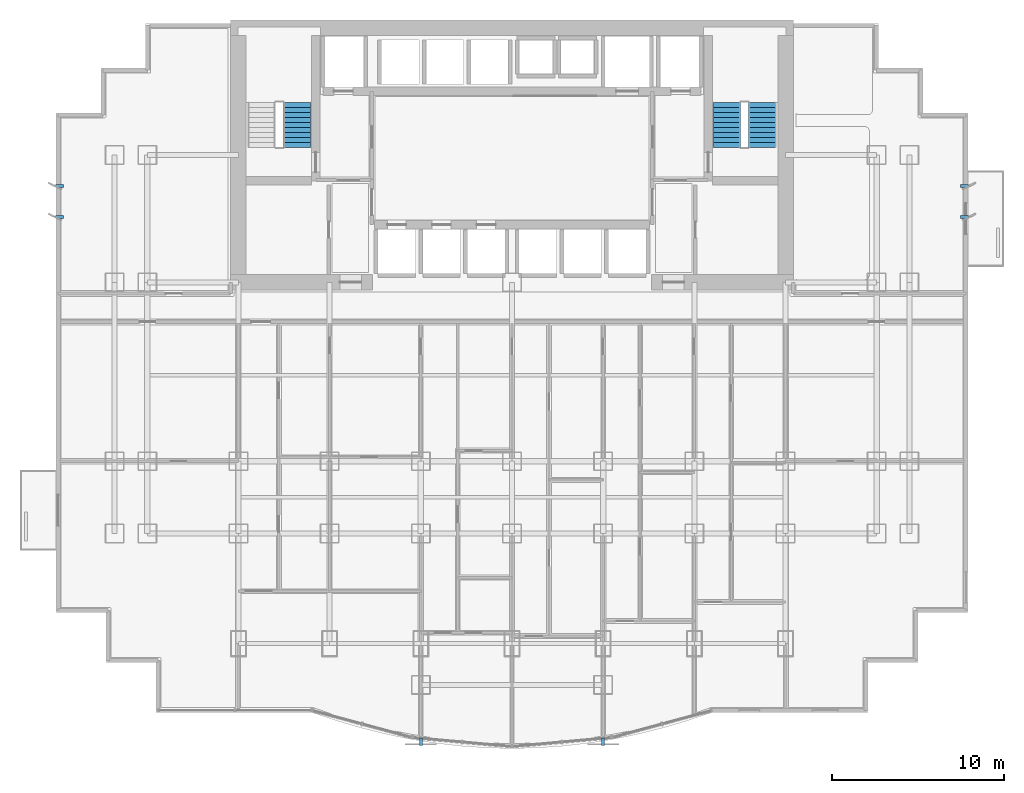
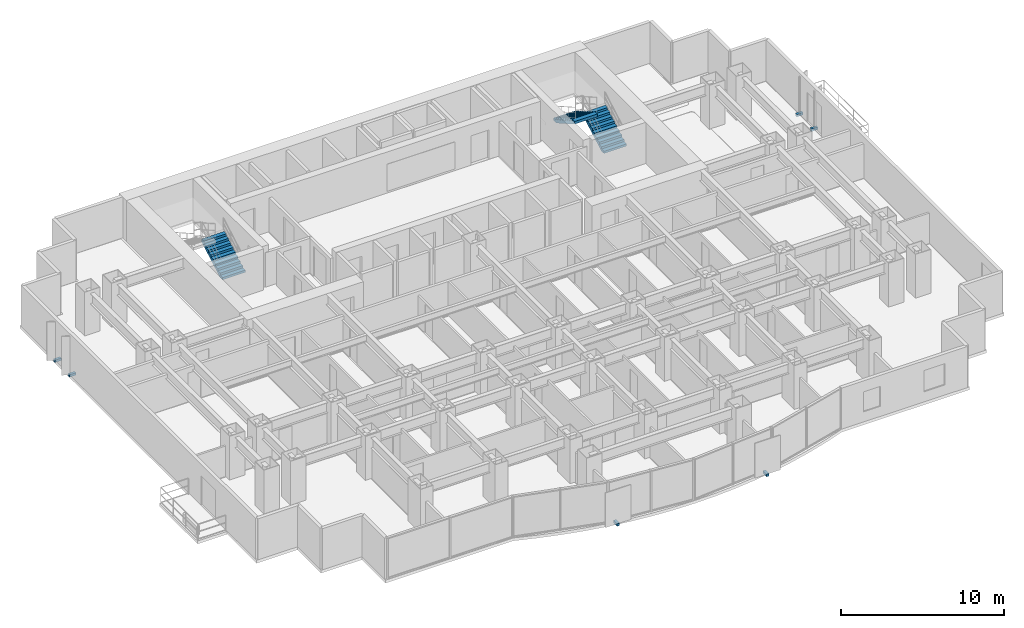
# One storey, part 8 of 10: 6 discrete accessories, 3 stair flights, 2 elements without a shape of their own.
"""IFC4 building model written with IfcOpenShell, lengths in metres."""

import ifcopenshell
import ifcopenshell.guid

model = None  # the IFC model being written
_history = None  # IfcOwnerHistory: only IFC2X3 demands one
_inside = {}  # id of a spatial element -> (the spatial element, [elements in it])
_under = {}  # id of a project, library or spatial element -> (it, [spatial elements below it])
_declared = {}  # id of a project -> (the project, [libraries it declares])
_typed = {}  # id of a type object -> (the type object, [elements of that type])
_made_of = {}  # id of a material, layer set ... -> (it, [elements and type objects made of it])


def new_model(schema):
    """Start an empty IFC model of exactly this schema.

    Asked for "IFC4X3", IfcOpenShell would pick the latest addendum, in which some entities
    have other attributes; the version numbers below select the first issue.
    IFC2X3 requires an IfcOwnerHistory on every rooted entity: one is made here for all.
    """
    global model, _history
    if schema == "IFC4X3":
        model = ifcopenshell.file(schema_version=(4, 3, 0, 0))
    else:
        model = ifcopenshell.file(schema=schema)
    _inside.clear()
    _under.clear()
    _declared.clear()
    _typed.clear()
    _made_of.clear()
    _history = None
    if model.schema == "IFC2X3":
        org = make("IfcOrganization", Name="unknown")
        user = make(
            "IfcPersonAndOrganization",
            ThePerson=make("IfcPerson", FamilyName="unknown"),
            TheOrganization=org,
        )
        app = make(
            "IfcApplication",
            ApplicationDeveloper=org,
            Version="unknown",
            ApplicationFullName="unknown",
            ApplicationIdentifier="unknown",
        )
        _history = make(
            "IfcOwnerHistory",
            OwningUser=user,
            OwningApplication=app,
            ChangeAction="ADDED",
            CreationDate=0,
        )
    return model


def make(cls, **values):
    """One entity of the class cls with the attributes given. An attribute that is None is left unset."""
    return model.create_entity(
        cls, **{name: value for name, value in values.items() if value is not None}
    )


def rooted(cls, **values):
    """An entity with a GlobalId (a new one), such as an element, a storey or a relation."""
    return make(cls, GlobalId=ifcopenshell.guid.new(), OwnerHistory=_history, **values)


def si_unit(unit_type, name, prefix=None):
    """IfcSIUnit, for example si_unit("LENGTHUNIT", "METRE", prefix="MILLI")."""
    return make("IfcSIUnit", UnitType=unit_type, Prefix=prefix, Name=name)


def assignment(units):
    """IfcUnitAssignment: the units of a project."""
    return None if units is None else make("IfcUnitAssignment", Units=units)


def point(xyz):
    """IfcCartesianPoint."""
    return None if xyz is None else make("IfcCartesianPoint", Coordinates=xyz)


def direction(xyz):
    """IfcDirection."""
    return None if xyz is None else make("IfcDirection", DirectionRatios=xyz)


def frame(location, z_axis=None, x_axis=None):
    """IfcAxis2Placement3D, a coordinate frame: its origin and axes. An axis left out is left unset."""
    return make(
        "IfcAxis2Placement3D",
        Location=point(location),
        Axis=direction(z_axis),
        RefDirection=direction(x_axis),
    )


def frame_2d(location, x_axis=None):
    """IfcAxis2Placement2D, a coordinate frame in the plane: its origin and x axis."""
    return make(
        "IfcAxis2Placement2D", Location=point(location), RefDirection=direction(x_axis)
    )


def origin():
    """The frame at (0, 0, 0) with its axes left unset."""
    return frame((0.0, 0.0, 0.0))


def origin_2d():
    """The frame at (0, 0) in the plane with its x axis left unset."""
    return frame_2d((0.0, 0.0))


def place(relative_to, where):
    """IfcLocalPlacement: puts the frame where relative to a parent placement (None: the world)."""
    return make(
        "IfcLocalPlacement", PlacementRelTo=relative_to, RelativePlacement=where
    )


def context(
    kind, dimensions, precision=None, world=None, true_north=None, identifier=None
):
    """IfcGeometricRepresentationContext, for example the 3D "Model" context."""
    return make(
        "IfcGeometricRepresentationContext",
        ContextIdentifier=identifier,
        ContextType=kind,
        CoordinateSpaceDimension=dimensions,
        Precision=precision,
        WorldCoordinateSystem=world,
        TrueNorth=true_north,
    )


def subcontext(parent, identifier, kind, view, scale=None):
    """IfcGeometricRepresentationSubContext, for example "Body" below "Model"."""
    return make(
        "IfcGeometricRepresentationSubContext",
        ContextIdentifier=identifier,
        ContextType=kind,
        ParentContext=parent,
        TargetScale=scale,
        TargetView=view,
    )


def project(units=None, contexts=None):
    """IfcProject with its units and contexts."""
    return rooted(
        "IfcProject",
        Name="project",
        RepresentationContexts=contexts,
        UnitsInContext=assignment(units),
    )


def spatial(cls, under=None, at=None, **own):
    """A site, building, storey or space (cls), placed at a placement, below another one or the project."""
    s = rooted(cls, ObjectPlacement=at, **own)
    if under is not None:
        _under.setdefault(under.id(), (under, []))[1].append(s)
    return s


def polyline(points):
    """IfcPolyline through the points."""
    return make("IfcPolyline", Points=[point(p) for p in points])


def profile(cls, at=None, kind="AREA", **sizes):
    """A parametric profile (cls). Its sizes go by their IFC names, for example OverallWidth=200.0."""
    return make(cls, ProfileType=kind, Position=at, **sizes)


def rectangle(**sizes):
    """IfcRectangleProfileDef."""
    return profile("IfcRectangleProfileDef", **sizes)


def outline(outer, holes=None, kind="AREA"):
    """IfcArbitraryClosedProfileDef: a profile drawn as a closed curve; with holes, ...WithVoids."""
    if holes is None:
        return make("IfcArbitraryClosedProfileDef", ProfileType=kind, OuterCurve=outer)
    return make(
        "IfcArbitraryProfileDefWithVoids",
        ProfileType=kind,
        OuterCurve=outer,
        InnerCurves=holes,
    )


def extrude(swept, where, along, depth):
    """IfcExtrudedAreaSolid: the profile swept, set in the frame where, extruded along a direction by depth."""
    return make(
        "IfcExtrudedAreaSolid",
        SweptArea=swept,
        Position=where,
        ExtrudedDirection=direction(along),
        Depth=depth,
    )


def shape(context_of_items, identifier, shape_type, items):
    """IfcShapeRepresentation: the items that make up one representation, for example the "Body"."""
    return make(
        "IfcShapeRepresentation",
        ContextOfItems=context_of_items,
        RepresentationIdentifier=identifier,
        RepresentationType=shape_type,
        Items=items,
    )


def source(mapping_origin, context_of_items, identifier, shape_type, items):
    """IfcRepresentationMap: a shape defined once, which mapped items show again and again."""
    return make(
        "IfcRepresentationMap",
        MappingOrigin=mapping_origin,
        MappedRepresentation=shape(context_of_items, identifier, shape_type, items),
    )


def transform(
    local_origin,
    x_axis=None,
    y_axis=None,
    z_axis=None,
    scale=None,
    scale2=None,
    scale3=None,
    uniform=True,
):
    """IfcCartesianTransformationOperator3D, or its non-uniform kind. x_axis, y_axis, z_axis: its Axis1, 2, 3."""
    if uniform:
        return make(
            "IfcCartesianTransformationOperator3D",
            Axis1=direction(x_axis),
            Axis2=direction(y_axis),
            LocalOrigin=point(local_origin),
            Scale=scale,
            Axis3=direction(z_axis),
        )
    return make(
        "IfcCartesianTransformationOperator3DnonUniform",
        Axis1=direction(x_axis),
        Axis2=direction(y_axis),
        LocalOrigin=point(local_origin),
        Scale=scale,
        Axis3=direction(z_axis),
        Scale2=scale2,
        Scale3=scale3,
    )


def mapped(mapping_source, mapping_target):
    """IfcMappedItem: shows the shape of a source again, moved by a transform."""
    return make(
        "IfcMappedItem", MappingSource=mapping_source, MappingTarget=mapping_target
    )


def material(Name=None, Category=None):
    """IfcMaterial."""
    return make("IfcMaterial", Name=Name, Category=Category)


def made_of(thing, what):
    """Note that an element or type object is made of a material, layer set ...; save() writes the relation."""
    if what is not None:
        _made_of.setdefault(what.id(), (what, []))[1].append(thing)
    return thing


def type_object(cls, material=None, **own):
    """A type object (cls), such as IfcWallType, which elements share."""
    return made_of(rooted(cls, **own), material)


def element(
    cls,
    number,
    at=None,
    inside=None,
    cuts=None,
    type_object=None,
    material=None,
    context=None,
    identifier="Body",
    shape_type=None,
    held_by="IfcProductDefinitionShape",
    body=None,
    shapes=None,
    **own,
):
    """One element of the class cls, such as IfcWall. Its Tag is "e" and its number.

    at: its placement. inside: the storey or other place that contains it. cuts: it is an
    opening in that element (IfcRelVoidsElement). A single representation is given by context,
    identifier, shape_type and body (its items); several are given by shapes. held_by: the class
    of the entity that holds the representations. save() writes the other relations.
    """
    e = rooted(cls, Tag="e%d" % number, ObjectPlacement=at, **own)
    if body is not None:
        shapes = [shape(context, identifier, shape_type, body)]
    if shapes is not None:
        e.Representation = make(held_by, Representations=shapes)
    if inside is not None:
        _inside.setdefault(inside.id(), (inside, []))[1].append(e)
    if cuts is not None:
        rooted(
            "IfcRelVoidsElement", RelatingBuildingElement=cuts, RelatedOpeningElement=e
        )
    if type_object is not None:
        _typed.setdefault(type_object.id(), (type_object, []))[1].append(e)
    return made_of(e, material)


def aggregate(whole, parts):
    """IfcRelAggregates: a whole, such as a stair, and the parts it consists of."""
    return rooted("IfcRelAggregates", RelatingObject=whole, RelatedObjects=parts)


def save(model, path):
    """Write the relations noted so far, then the file.

    IfcRelAggregates (storeys below a building ...), IfcRelContainedInSpatialStructure (elements
    in a storey), IfcRelDefinesByType, IfcRelAssociatesMaterial and IfcRelDeclares: one each for
    every whole, place, type object, material and project.
    """
    for whole, parts in _under.values():
        aggregate(whole, parts)
    for where, things in _inside.values():
        rooted(
            "IfcRelContainedInSpatialStructure",
            RelatedElements=things,
            RelatingStructure=where,
        )
    for kind, things in _typed.values():
        rooted("IfcRelDefinesByType", RelatedObjects=things, RelatingType=kind)
    for what, things in _made_of.values():
        rooted("IfcRelAssociatesMaterial", RelatedObjects=things, RelatingMaterial=what)
    for by, libraries in _declared.values():
        rooted("IfcRelDeclares", RelatingContext=by, RelatedDefinitions=libraries)
    model.write(path)


model = new_model("IFC4")

# Units and contexts
model_context = context("Model", 3, precision=1e-05, world=origin(), true_north=direction((0.0, 1.0)))
body_context = subcontext(model_context, "Body", "Model", "MODEL_VIEW")
ifc_project = project(units=[si_unit("LENGTHUNIT", "METRE"), si_unit("AREAUNIT", "SQUARE_METRE"), si_unit("VOLUMEUNIT", "CUBIC_METRE"), si_unit("PLANEANGLEUNIT", "RADIAN"), si_unit("MASSUNIT", "GRAM", prefix="KILO")], contexts=[model_context])

# Site, building, storey
site_placement = place(None, origin())
site = spatial("IfcSite", under=ifc_project, at=site_placement, CompositionType="ELEMENT")
building_placement = place(site_placement, origin())
building = spatial("IfcBuilding", under=site, at=building_placement, Name="Qianlan Lanfeng Residences", CompositionType="ELEMENT")
storey_placement = place(building_placement, frame((0.0, 0.0, 60.5)))
storey = spatial("IfcBuildingStorey", under=building, at=storey_placement, Name="L16", CompositionType="ELEMENT", Elevation=60.5)

# Stair, stair flight
ifc_material_1 = material(Name="Concrete C42", Category="concrete")
stair_type = type_object("IfcStairType", Name="STR-MAIN", PredefinedType="HALF_TURN_STAIR", material=ifc_material_1)
stair_1_placement = place(storey_placement, origin())
stair_1 = element("IfcStair", 1, at=stair_1_placement, inside=storey, type_object=stair_type, Name="L16 Exit Stair ST-1", PredefinedType="HALF_TURN_STAIR")
stair_flight_type = type_object("IfcStairFlightType", Name="FLT-1720", PredefinedType="STRAIGHT", material=ifc_material_1)
stair_flight_1_placement = place(storey_placement, frame((14.02001953125, 33.050048828125, 0.0), z_axis=(0.0, 0.0, 1.0), x_axis=(0.0, 1.0, 0.0)))
stair_flight_1 = element("IfcStairFlight", 2, at=stair_flight_1_placement, type_object=stair_flight_type, Name="ST-1 flight 1", NumberOfRisers=10, NumberOfTreads=9, PredefinedType="STRAIGHT", RiserHeight=0.165, TreadLength=0.29, context=body_context, shape_type="SweptSolid", body=[
    extrude(outline(polyline([(0.0, 0.0), (0.0, 0.1650390625), (0.2900390625, 0.1650390625), (0.2900390625, 0.330078125), (0.580078125, 0.330078125), (0.580078125, 0.4951171875), (0.8701171875, 0.4951171875), (0.8701171875, 0.659912109375), (1.159912109375, 0.659912109375), (1.159912109375, 0.824951171875), (1.449951171875, 0.824951171875), (1.449951171875, 0.989990234375), (1.739990234375, 0.989990234375), (1.739990234375, 1.155029296875), (2.030029296875, 1.155029296875), (2.030029296875, 1.320068359375), (2.320068359375, 1.320068359375), (2.320068359375, 1.485107421875), (2.610107421875, 1.485107421875), (2.610107421875, 1.64990234375), (2.610107421875, 1.278076171875), (0.36376953125, 0.0), (0.0, 0.0)])), frame((0.0, 0.800048828125, 0.0), z_axis=(0.0, -1.0, 0.0), x_axis=(1.0, 0.0, 0.0)), (0.0, 0.0, 1.0), 1.60009765625),
])
aggregate(stair_1, [stair_flight_1])

# Stair, stair flights
stair_2_placement = place(storey_placement, origin())
stair_2 = element("IfcStair", 3, at=stair_2_placement, inside=storey, type_object=stair_type, Name="L16 Exit Stair ST-2", PredefinedType="HALF_TURN_STAIR")
stair_flight_2_placement = place(storey_placement, frame((41.06005859375, 33.050048828125, 0.0), z_axis=(0.0, 0.0, 1.0), x_axis=(0.0, 1.0, 0.0)))
stair_flight_2 = element("IfcStairFlight", 4, at=stair_flight_2_placement, type_object=stair_flight_type, Name="ST-2 flight 1", NumberOfRisers=10, NumberOfTreads=9, PredefinedType="STRAIGHT", RiserHeight=0.165, TreadLength=0.29, context=body_context, shape_type="SweptSolid", body=[
    extrude(outline(polyline([(0.0, 0.0), (0.0, 0.1650390625), (0.2900390625, 0.1650390625), (0.2900390625, 0.330078125), (0.580078125, 0.330078125), (0.580078125, 0.4951171875), (0.8701171875, 0.4951171875), (0.8701171875, 0.659912109375), (1.159912109375, 0.659912109375), (1.159912109375, 0.824951171875), (1.449951171875, 0.824951171875), (1.449951171875, 0.989990234375), (1.739990234375, 0.989990234375), (1.739990234375, 1.155029296875), (2.030029296875, 1.155029296875), (2.030029296875, 1.320068359375), (2.320068359375, 1.320068359375), (2.320068359375, 1.485107421875), (2.610107421875, 1.485107421875), (2.610107421875, 1.64990234375), (2.610107421875, 1.278076171875), (0.36376953125, 0.0), (0.0, 0.0)])), frame((0.0, 0.800048828125, 0.0), z_axis=(0.0, -1.0, 0.0), x_axis=(1.0, 0.0, 0.0)), (0.0, 0.0, 1.0), 1.60009765625),
])
stair_flight_3_placement = place(storey_placement, frame((38.97998046875, 35.659912109375, 1.64990234375), z_axis=(0.0, 0.0, 1.0), x_axis=(0.0, -1.0, 0.0)))
stair_flight_3 = element("IfcStairFlight", 5, at=stair_flight_3_placement, type_object=stair_flight_type, Name="ST-2 flight 2", NumberOfRisers=10, NumberOfTreads=9, PredefinedType="STRAIGHT", RiserHeight=0.165, TreadLength=0.29, context=body_context, shape_type="SweptSolid", body=[
    extrude(outline(polyline([(0.0, 0.0), (0.0, 0.1650390625), (0.2900390625, 0.1650390625), (0.2900390625, 0.330078125), (0.580078125, 0.330078125), (0.580078125, 0.4951171875), (0.8701171875, 0.4951171875), (0.8701171875, 0.659912109375), (1.159912109375, 0.659912109375), (1.159912109375, 0.824951171875), (1.449951171875, 0.824951171875), (1.449951171875, 0.989990234375), (1.739990234375, 0.989990234375), (1.739990234375, 1.155029296875), (2.030029296875, 1.155029296875), (2.030029296875, 1.320068359375), (2.320068359375, 1.320068359375), (2.320068359375, 1.485107421875), (2.610107421875, 1.485107421875), (2.610107421875, 1.64990234375), (2.610107421875, 1.278076171875), (0.36376953125, 0.0), (0.0, 0.0)])), frame((0.0, 0.800048828125, 0.0), z_axis=(0.0, -1.0, 0.0), x_axis=(1.0, 0.0, 0.0)), (0.0, 0.0, 1.0), 1.60009765625),
])
aggregate(stair_2, [stair_flight_2, stair_flight_3])

# Discrete accessories
ifc_material_2 = material(Name="Stainless Steel Facade Bracket", Category="steel")
discrete_accessory_type = type_object("IfcDiscreteAccessoryType", Name="BRK-SS-350", PredefinedType="BRACKET", material=ifc_material_2)
shared_shape_1 = source(origin(), body_context, "Body", "SweptSolid", [
    extrude(rectangle(XDim=0.179931640625, YDim=0.449951171875, at=origin_2d()), origin(), (0.0, 0.0, 1.0), 0.179931640625),
])
for number, where, z_axis, x_axis, name in (
    (6, (21.199951171875, -1.5, -0.14990234375), (0.0, 0.0, 1.0), (1.0, 0.0, 0.0), "L16 Solar Screen Support Bracket 1"),
    (7, (31.800048828125, -1.5, -0.14990234375), (0.0, 0.0, 1.0), (1.0, 0.0, 0.0), "L16 Solar Screen Support Bracket 2"),
):
    element("IfcDiscreteAccessory", number, at=place(storey_placement, frame(where, z_axis=z_axis, x_axis=x_axis)), inside=storey, type_object=discrete_accessory_type, Name=name, PredefinedType="BRACKET", context=body_context, shape_type="MappedRepresentation", body=[
        mapped(shared_shape_1, transform((0.0, 0.0, 0.0), scale=1.0)),
    ])
shared_shape_2 = source(origin(), body_context, "Body", "SweptSolid", [
    extrude(rectangle(XDim=0.449951171875, YDim=0.179931640625, at=origin_2d()), origin(), (0.0, 0.0, 1.0), 0.179931640625),
])
for number, where, z_axis, x_axis, name in (
    (8, (0.199951171875, 29.0, -0.14990234375), (0.0, 0.0, 1.0), (1.0, 0.0, 0.0), "L16 Raked Solar Fin Support Bracket W1"),
    (9, (0.199951171875, 30.800048828125, -0.14990234375), (0.0, 0.0, 1.0), (1.0, 0.0, 0.0), "L16 Raked Solar Fin Support Bracket W2"),
    (10, (52.800048828125, 29.0, -0.14990234375), (0.0, 0.0, 1.0), (1.0, 0.0, 0.0), "L16 Raked Solar Fin Support Bracket E1"),
    (11, (52.800048828125, 30.800048828125, -0.14990234375), (0.0, 0.0, 1.0), (1.0, 0.0, 0.0), "L16 Raked Solar Fin Support Bracket E2"),
):
    element("IfcDiscreteAccessory", number, at=place(storey_placement, frame(where, z_axis=z_axis, x_axis=x_axis)), inside=storey, type_object=discrete_accessory_type, Name=name, PredefinedType="BRACKET", context=body_context, shape_type="MappedRepresentation", body=[
        mapped(shared_shape_2, transform((0.0, 0.0, 0.0), scale=1.0)),
    ])

save(model, "model.ifc")
